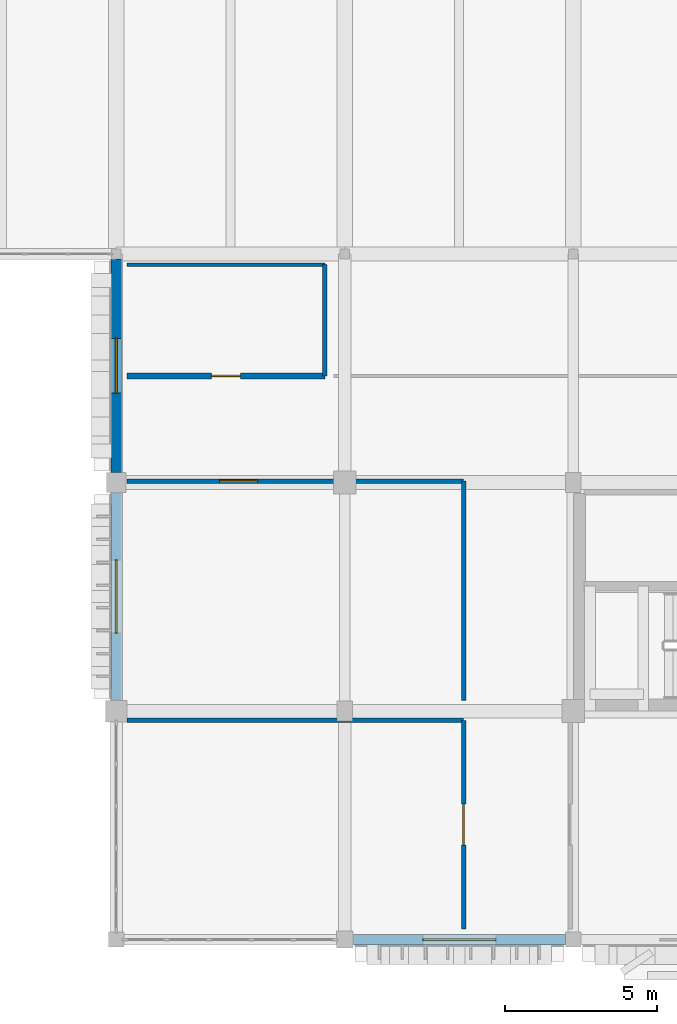
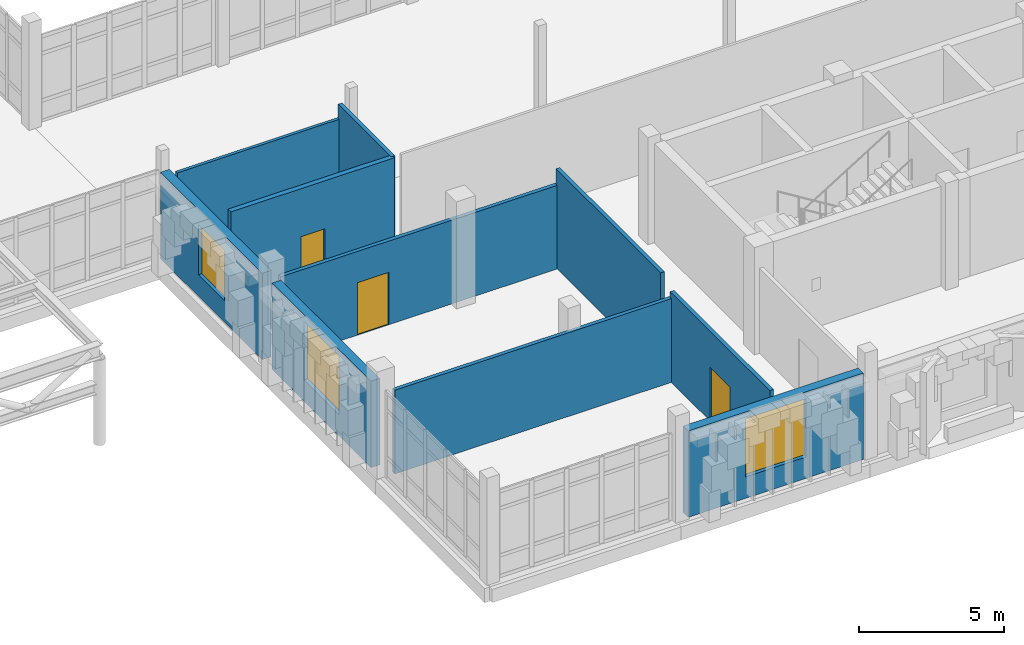
# One storey, part 98 of 128: 10 walls, 3 doors, 3 windows, 6 openings.
"""IFC4 building model written with IfcOpenShell, lengths in metres."""

from ifc_helpers import new_model, si_unit, direction, frame, frame_2d, origin, place, context, subcontext, project, spatial, rectangle, extrude, material, layer, layer_set, type_object, element, fill, save


model = new_model("IFC4")

# Units and contexts
model_context = context("Model", 3, precision=1e-05, world=origin(), true_north=direction((0.0, 1.0)))
body_context = subcontext(model_context, "Body", "Model", "MODEL_VIEW")
ifc_project = project(units=[si_unit("LENGTHUNIT", "METRE"), si_unit("AREAUNIT", "SQUARE_METRE"), si_unit("VOLUMEUNIT", "CUBIC_METRE"), si_unit("PLANEANGLEUNIT", "RADIAN"), si_unit("MASSUNIT", "GRAM", prefix="KILO")], contexts=[model_context])

# Site, building, storey
site_placement = place(None, origin())
site = spatial("IfcSite", under=ifc_project, at=site_placement, CompositionType="ELEMENT")
building_placement = place(site_placement, origin())
building = spatial("IfcBuilding", under=site, at=building_placement, Name="Dalvernix Boulevard General Hospital", CompositionType="ELEMENT")
storey_placement = place(building_placement, frame((0.0, 0.0, 4.800048828125)))
storey = spatial("IfcBuildingStorey", under=building, at=storey_placement, Name="L01", CompositionType="ELEMENT", Elevation=4.800048828125)

# Wall, opening, window
ifc_material_1 = material(Name="Pressed Catalan clay brick and insulated concrete cavity wall C35/45", Category="masonry")
ifc_layer_1 = layer(ifc_material_1, 0.35009765625)
ifc_layer_set_1 = layer_set([ifc_layer_1], Name="Pressed Catalan clay brick and insulated concrete cavity wall C35/45 (WAL-EW-01)")
wall_type_1 = type_object("IfcWallType", Name="WAL-EW-01", PredefinedType="STANDARD", material=ifc_layer_set_1)
wall_1_placement = place(storey_placement, frame((112.5, 7.860107421875, 0.0), z_axis=(0.0, 0.0, 1.0), x_axis=(0.0, 1.0, 0.0)))
wall_1 = element("IfcWall", 1, at=wall_1_placement, inside=storey, type_object=wall_type_1, Name="L01 Catalan brick external wall W 15-1", PredefinedType="STANDARD", context=body_context, shape_type="SweptSolid", body=[
    extrude(rectangle(XDim=6.804931640625, YDim=0.35009765625, at=frame_2d((3.40234375, 0.0))), origin(), (0.0, 0.0, 1.0), 3.6298828125),
])
opening_1_placement = place(wall_1_placement, frame((2.202392578125, 0.0, 0.89990234375)))
opening_1 = element("IfcOpeningElement", 2, at=opening_1_placement, cuts=wall_1, Name="Opening WN-04", PredefinedType="OPENING", context=body_context, shape_type="SweptSolid", body=[
    extrude(rectangle(XDim=2.39990234375, YDim=2.449951171875, at=frame_2d((1.199951171875, 1.22509765625))), frame((0.0, 0.18505859375, 0.0), z_axis=(0.0, -1.0, 0.0), x_axis=(1.0, 0.0, 0.0)), (0.0, 0.0, 1.0), 0.3701171875),
])
ifc_material_2 = material(Name="Thermally broken aluminium frame with solar-control double glazing", Category="aluminium")
window_type_1 = type_object("IfcWindowType", Name="WIN-WN-04", PartitioningType="SINGLE_PANEL", PredefinedType="WINDOW", material=ifc_material_2)
window_1_placement = place(opening_1_placement, origin())
window_1 = element("IfcWindow", 3, at=window_1_placement, inside=storey, type_object=window_type_1, Name="L01 clinical window WN-04 W 15-1", OverallHeight=2.449951171875, OverallWidth=2.39990234375, PartitioningType="SINGLE_PANEL", PredefinedType="WINDOW", context=body_context, shape_type="SweptSolid", body=[
    extrude(rectangle(XDim=2.39990234375, YDim=2.449951171875, at=frame_2d((1.199951171875, 1.22509765625))), frame((0.0, 0.030029296875, 0.0), z_axis=(0.0, -1.0, 0.0), x_axis=(1.0, 0.0, 0.0)), (0.0, 0.0, 1.0), 0.06005859375),
])
fill(opening_1, window_1)

wall_2_placement = place(storey_placement, frame((112.5, 15.3349609375, 0.0), z_axis=(0.0, 0.0, 1.0), x_axis=(0.0, 1.0, 0.0)))
wall_2 = element("IfcWall", 4, at=wall_2_placement, inside=storey, type_object=wall_type_1, Name="L01 Catalan brick external wall W 15-2", PredefinedType="STANDARD", context=body_context, shape_type="SweptSolid", body=[
    extrude(rectangle(XDim=6.9951171875, YDim=0.35009765625, at=frame_2d((3.49755859375, 0.0))), origin(), (0.0, 0.0, 1.0), 3.6298828125),
])
opening_2_placement = place(wall_2_placement, frame((2.597412109375, 0.0, 0.89990234375)))
opening_2 = element("IfcOpeningElement", 5, at=opening_2_placement, cuts=wall_2, Name="Opening WN-05", PredefinedType="OPENING", context=body_context, shape_type="SweptSolid", body=[
    extrude(rectangle(XDim=1.800048828125, YDim=2.10009765625, at=frame_2d((0.89990234375, 1.050048828125))), frame((0.0, 0.18505859375, 0.0), z_axis=(0.0, -1.0, 0.0), x_axis=(1.0, 0.0, 0.0)), (0.0, 0.0, 1.0), 0.3701171875),
])
window_type_2 = type_object("IfcWindowType", Name="WIN-WN-05", PartitioningType="SINGLE_PANEL", PredefinedType="WINDOW", material=ifc_material_2)
window_2_placement = place(opening_2_placement, origin())
window_2 = element("IfcWindow", 6, at=window_2_placement, inside=storey, type_object=window_type_2, Name="L01 clinical window WN-05 W 15-2", OverallHeight=2.10009765625, OverallWidth=1.800048828125, PartitioningType="SINGLE_PANEL", PredefinedType="WINDOW", context=body_context, shape_type="SweptSolid", body=[
    extrude(rectangle(XDim=1.800048828125, YDim=2.10009765625, at=frame_2d((0.89990234375, 1.050048828125))), frame((0.0, 0.030029296875, 0.0), z_axis=(0.0, -1.0, 0.0), x_axis=(1.0, 0.0, 0.0)), (0.0, 0.0, 1.0), 0.06005859375),
])
fill(opening_2, window_2)

wall_3_placement = place(storey_placement, frame((127.239990234375, 0.0, 0.0), z_axis=(0.0, 0.0, 1.0), x_axis=(-1.0, 0.0, 0.0)))
wall_3 = element("IfcWall", 7, at=wall_3_placement, inside=storey, type_object=wall_type_1, Name="L01 Catalan brick external wall S 16-0", PredefinedType="STANDARD", context=body_context, shape_type="SweptSolid", body=[
    extrude(rectangle(XDim=6.955078125, YDim=0.35009765625, at=frame_2d((3.4775390625, 0.0))), origin(), (0.0, 0.0, 1.0), 3.6298828125),
])
opening_3_placement = place(wall_3_placement, frame((2.277587890625, 0.0, 0.89990234375)))
opening_3 = element("IfcOpeningElement", 8, at=opening_3_placement, cuts=wall_3, Name="Opening WN-04", PredefinedType="OPENING", context=body_context, shape_type="SweptSolid", body=[
    extrude(rectangle(XDim=2.39990234375, YDim=2.449951171875, at=frame_2d((1.199951171875, 1.22509765625))), frame((0.0, 0.18505859375, 0.0), z_axis=(0.0, -1.0, 0.0), x_axis=(1.0, 0.0, 0.0)), (0.0, 0.0, 1.0), 0.3701171875),
])
window_3_placement = place(opening_3_placement, origin())
window_3 = element("IfcWindow", 9, at=window_3_placement, inside=storey, type_object=window_type_1, Name="L01 clinical window WN-04 S 16-0", OverallHeight=2.449951171875, OverallWidth=2.39990234375, PartitioningType="SINGLE_PANEL", PredefinedType="WINDOW", context=body_context, shape_type="SweptSolid", body=[
    extrude(rectangle(XDim=2.39990234375, YDim=2.449951171875, at=frame_2d((1.199951171875, 1.22509765625))), frame((0.0, 0.030029296875, 0.0), z_axis=(0.0, -1.0, 0.0), x_axis=(1.0, 0.0, 0.0)), (0.0, 0.0, 1.0), 0.06005859375),
])
fill(opening_3, window_3)

# Wall, opening, door
ifc_material_3 = material(Name="Fire-compartment corridor masonry wall", Category="masonry")
ifc_layer_2 = layer(ifc_material_3, 0.199951171875)
ifc_layer_set_2 = layer_set([ifc_layer_2], Name="Fire-compartment corridor masonry wall (WAL-IW-02)")
wall_type_2 = type_object("IfcWallType", Name="WAL-IW-02", PredefinedType="STANDARD", material=ifc_layer_set_2)
wall_4_placement = place(storey_placement, frame((112.85009765625, 18.5, 0.0), z_axis=(0.0, 0.0, 1.0), x_axis=(1.0, 0.0, 0.0)))
wall_4 = element("IfcWall", 10, at=wall_4_placement, inside=storey, type_object=wall_type_2, Name="L01 Accessible WC L01 South-East corridor wall", PredefinedType="STANDARD", context=body_context, shape_type="SweptSolid", body=[
    extrude(rectangle(XDim=6.5, YDim=0.199951171875, at=frame_2d((3.25, 0.0))), origin(), (0.0, 0.0, 1.0), 4.1650390625),
])
opening_4_placement = place(wall_4_placement, frame((2.77490234375, 0.0, 0.0)))
opening_4 = element("IfcOpeningElement", 11, at=opening_4_placement, cuts=wall_4, Name="Opening ID-06", PredefinedType="OPENING", context=body_context, shape_type="SweptSolid", body=[
    extrude(rectangle(XDim=0.949951171875, YDim=2.14990234375, at=frame_2d((0.47509765625, 1.074951171875))), frame((0.0, 0.10986328125, 0.0), z_axis=(0.0, -1.0, 0.0), x_axis=(1.0, 0.0, 0.0)), (0.0, 0.0, 1.0), 0.219970703125),
])
ifc_material_4 = material(Name="Hospital laminate acoustic timber and steel frame", Category="steel")
door_type_1 = type_object("IfcDoorType", Name="DR-ID-06", OperationType="NOTDEFINED", PredefinedType="DOOR", material=ifc_material_4)
door_1_placement = place(opening_4_placement, origin())
door_1 = element("IfcDoor", 12, at=door_1_placement, inside=storey, type_object=door_type_1, Name="L01 Accessible WC L01 South-East door", OperationType="SINGLE_SWING_RIGHT", OverallHeight=2.14990234375, OverallWidth=0.949951171875, PredefinedType="DOOR", context=body_context, shape_type="SweptSolid", body=[
    extrude(rectangle(XDim=0.949951171875, YDim=2.14990234375, at=frame_2d((0.47509765625, 1.074951171875))), frame((0.0, 0.02490234375, 0.0), z_axis=(0.0, -1.0, 0.0), x_axis=(1.0, 0.0, 0.0)), (0.0, 0.0, 1.0), 0.050048828125),
])
fill(opening_4, door_1)

ifc_material_5 = material(Name="Acoustic double-stud gypsum inpatient partition")
ifc_layer_3 = layer(ifc_material_5, 0.14990234375)
ifc_layer_set_3 = layer_set([ifc_layer_3], Name="Acoustic double-stud gypsum inpatient partition (WAL-IW-04)")
wall_type_3 = type_object("IfcWallType", Name="WAL-IW-04", PredefinedType="PARTITIONING", material=ifc_layer_set_3)
wall_5_placement = place(storey_placement, frame((123.89990234375, 0.35009765625, 0.0), z_axis=(0.0, 0.0, 1.0), x_axis=(0.0, 1.0, 0.0)))
wall_5 = element("IfcWall", 13, at=wall_5_placement, inside=storey, type_object=wall_type_3, Name="L01 Antenatal Clinic L01-01 corridor wall", PredefinedType="PARTITIONING", context=body_context, shape_type="SweptSolid", body=[
    extrude(rectangle(XDim=6.849853515625, YDim=0.14990234375, at=frame_2d((3.4248046875, 0.0))), origin(), (0.0, 0.0, 1.0), 3.764892578125),
])
opening_5_placement = place(wall_5_placement, frame((2.75, 0.0, 0.0)))
opening_5 = element("IfcOpeningElement", 14, at=opening_5_placement, cuts=wall_5, Name="Opening ID-01", PredefinedType="OPENING", context=body_context, shape_type="SweptSolid", body=[
    extrude(rectangle(XDim=1.35009765625, YDim=2.25, at=frame_2d((0.675048828125, 1.125))), frame((0.0, 0.0849609375, 0.0), z_axis=(0.0, -1.0, 0.0), x_axis=(1.0, 0.0, 0.0)), (0.0, 0.0, 1.0), 0.169921875),
])
door_type_2 = type_object("IfcDoorType", Name="DR-ID-01", OperationType="NOTDEFINED", PredefinedType="DOOR", material=ifc_material_4)
door_2_placement = place(opening_5_placement, origin())
door_2 = element("IfcDoor", 15, at=door_2_placement, inside=storey, type_object=door_type_2, Name="L01 Antenatal Clinic L01-01 door", OperationType="SINGLE_SWING_LEFT", OverallHeight=2.25, OverallWidth=1.35009765625, PredefinedType="DOOR", context=body_context, shape_type="SweptSolid", body=[
    extrude(rectangle(XDim=1.35009765625, YDim=2.25, at=frame_2d((0.675048828125, 1.125))), frame((0.0, 0.02490234375, 0.0), z_axis=(0.0, -1.0, 0.0), x_axis=(1.0, 0.0, 0.0)), (0.0, 0.0, 1.0), 0.050048828125),
])
fill(opening_5, door_2)

wall_6_placement = place(storey_placement, frame((123.89990234375, 15.050048828125, 0.0), z_axis=(0.0, 0.0, 1.0), x_axis=(-1.0, 0.0, 0.0)))
wall_6 = element("IfcWall", 16, at=wall_6_placement, inside=storey, type_object=wall_type_3, Name="L01 Paediatric Triage L01 corridor wall", PredefinedType="PARTITIONING", context=body_context, shape_type="SweptSolid", body=[
    extrude(rectangle(XDim=11.0498046875, YDim=0.14990234375, at=frame_2d((5.52490234375, 0.0))), origin(), (0.0, 0.0, 1.0), 3.514892578125),
])
opening_6_placement = place(wall_6_placement, frame((6.760009765625, 0.0, 0.0)))
opening_6 = element("IfcOpeningElement", 17, at=opening_6_placement, cuts=wall_6, Name="Opening ID-04", PredefinedType="OPENING", context=body_context, shape_type="SweptSolid", body=[
    extrude(rectangle(XDim=1.25, YDim=2.199951171875, at=frame_2d((0.625, 1.10009765625))), frame((0.0, 0.0849609375, 0.0), z_axis=(0.0, -1.0, 0.0), x_axis=(1.0, 0.0, 0.0)), (0.0, 0.0, 1.0), 0.169921875),
])
door_type_3 = type_object("IfcDoorType", Name="DR-ID-04", OperationType="NOTDEFINED", PredefinedType="DOOR", material=ifc_material_4)
door_3_placement = place(opening_6_placement, origin())
door_3 = element("IfcDoor", 18, at=door_3_placement, inside=storey, type_object=door_type_3, Name="L01 Paediatric Triage L01 door", OperationType="SINGLE_SWING_LEFT", OverallHeight=2.199951171875, OverallWidth=1.25, PredefinedType="DOOR", context=body_context, shape_type="SweptSolid", body=[
    extrude(rectangle(XDim=1.25, YDim=2.199951171875, at=frame_2d((0.625, 1.10009765625))), frame((0.0, 0.02490234375, 0.0), z_axis=(0.0, -1.0, 0.0), x_axis=(1.0, 0.0, 0.0)), (0.0, 0.0, 1.0), 0.050048828125),
])
fill(opening_6, door_3)

# Walls
wall_7_placement = place(storey_placement, frame((112.85009765625, 7.199951171875, 0.0), z_axis=(0.0, 0.0, 1.0), x_axis=(1.0, 0.0, 0.0)))
element("IfcWall", 19, at=wall_7_placement, inside=storey, type_object=wall_type_3, Name="L01 Antenatal Clinic L01-01 partition", PredefinedType="PARTITIONING", context=body_context, shape_type="SweptSolid", body=[
    extrude(rectangle(XDim=11.0498046875, YDim=0.14990234375, at=frame_2d((5.52490234375, 0.0))), origin(), (0.0, 0.0, 1.0), 3.514892578125),
])
wall_8_placement = place(storey_placement, frame((123.89990234375, 7.85009765625, 0.0), z_axis=(0.0, 0.0, 1.0), x_axis=(0.0, 1.0, 0.0)))
element("IfcWall", 20, at=wall_8_placement, inside=storey, type_object=wall_type_3, Name="L01 Paediatric Triage L01 partition", PredefinedType="PARTITIONING", context=body_context, shape_type="SweptSolid", body=[
    extrude(rectangle(XDim=7.199951171875, YDim=0.14990234375, at=frame_2d((3.60009765625, 0.0))), origin(), (0.0, 0.0, 1.0), 4.1650390625),
])
wall_9_placement = place(storey_placement, frame((119.35009765625, 18.5, 0.0), z_axis=(0.0, 0.0, 1.0), x_axis=(0.0, 1.0, 0.0)))
element("IfcWall", 21, at=wall_9_placement, inside=storey, type_object=wall_type_3, Name="L01 Accessible WC L01 South-East partition", PredefinedType="PARTITIONING", context=body_context, shape_type="SweptSolid", body=[
    extrude(rectangle(XDim=3.64990234375, YDim=0.14990234375, at=frame_2d((1.824951171875, 0.0))), origin(), (0.0, 0.0, 1.0), 4.1650390625),
])
ifc_material_6 = material(Name="Moisture-resistant en-suite bathroom partition")
ifc_layer_4 = layer(ifc_material_6, 0.1201171875)
ifc_layer_set_4 = layer_set([ifc_layer_4], Name="Moisture-resistant en-suite bathroom partition (WAL-IW-05)")
wall_type_4 = type_object("IfcWallType", Name="WAL-IW-05", PredefinedType="PARTITIONING", material=ifc_layer_set_4)
wall_10_placement = place(storey_placement, frame((112.85009765625, 22.14990234375, 0.0), z_axis=(0.0, 0.0, 1.0), x_axis=(1.0, 0.0, 0.0)))
element("IfcWall", 22, at=wall_10_placement, inside=storey, type_object=wall_type_4, Name="L01 Accessible WC L01 South-East enclosure wall N", PredefinedType="PARTITIONING", context=body_context, shape_type="SweptSolid", body=[
    extrude(rectangle(XDim=6.5, YDim=0.1201171875, at=frame_2d((3.25, 0.0))), origin(), (0.0, 0.0, 1.0), 3.56494140625),
])

save(model, "model.ifc")
